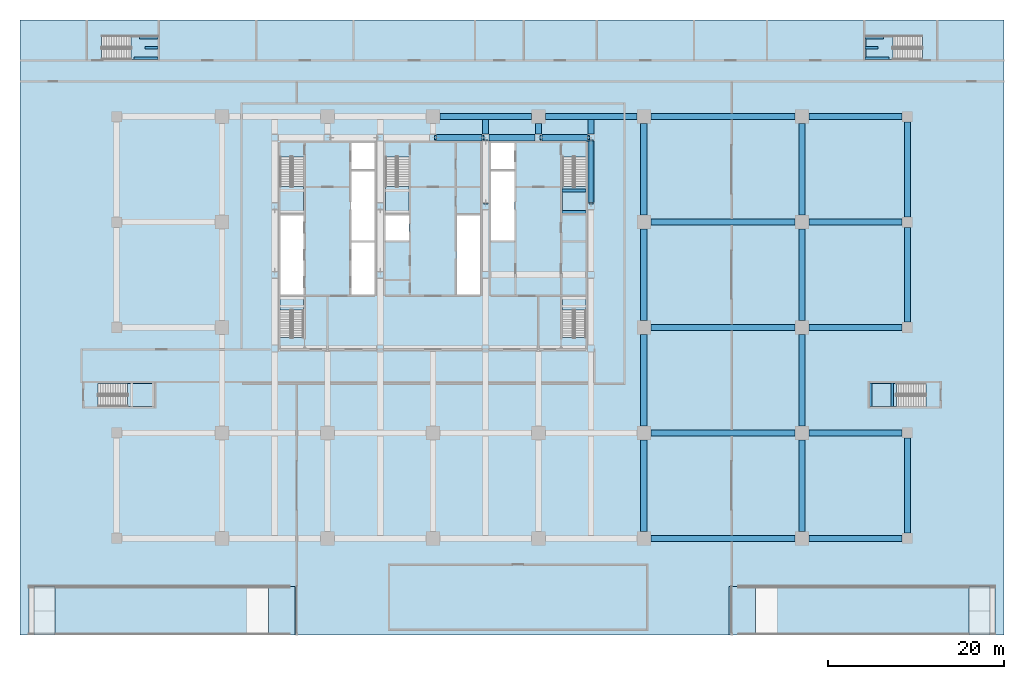
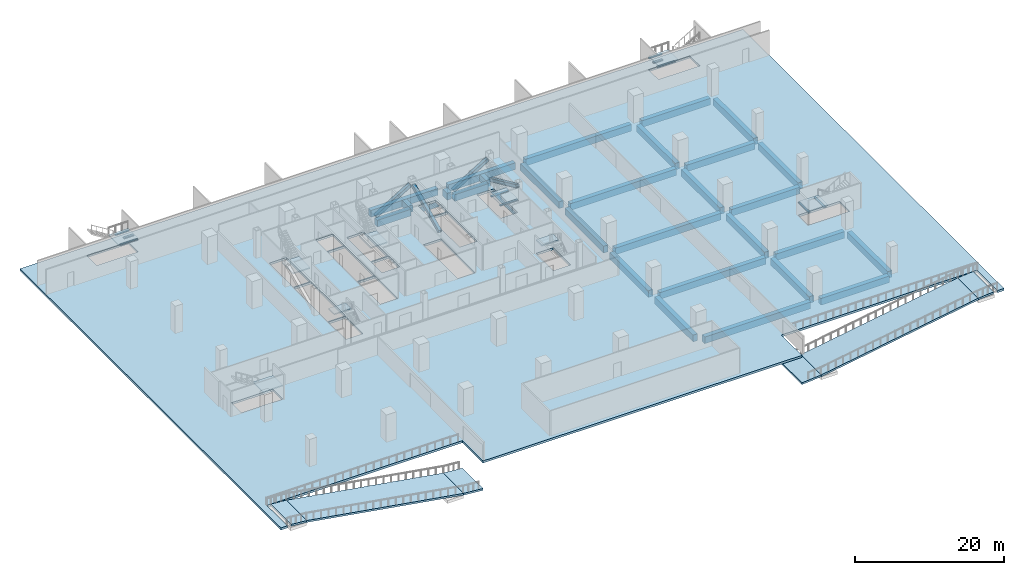
# One storey, part 2 of 15: 40 beams, 16 slabs, 4 members, 11 elements without a shape of their own.
"""IFC4 building model written with IfcOpenShell, lengths in metres."""

from ifc_helpers import new_model, si_unit, direction, frame, origin, origin_2d, place, context, subcontext, project, spatial, polyline, rectangle, hollow_rectangle, outline, extrude, material, layer, layer_set, material_profile, profile_set, type_object, element, aggregate, save


model = new_model("IFC4")

# Units and contexts
model_context = context("Model", 3, precision=1e-05, world=origin(), true_north=direction((0.0, 1.0)))
body_context = subcontext(model_context, "Body", "Model", "MODEL_VIEW")
ifc_project = project(units=[si_unit("LENGTHUNIT", "METRE"), si_unit("AREAUNIT", "SQUARE_METRE"), si_unit("VOLUMEUNIT", "CUBIC_METRE"), si_unit("PLANEANGLEUNIT", "RADIAN"), si_unit("MASSUNIT", "GRAM", prefix="KILO")], contexts=[model_context])

# Site, building, storey
site_placement = place(None, origin())
site = spatial("IfcSite", under=ifc_project, at=site_placement, CompositionType="ELEMENT")
building_placement = place(site_placement, origin())
building = spatial("IfcBuilding", under=site, at=building_placement, Name="Sorahane Residences", CompositionType="ELEMENT")
storey_placement = place(building_placement, frame((0.0, 0.0, -9.0)))
storey = spatial("IfcBuildingStorey", under=building, at=storey_placement, Name="B2", CompositionType="ELEMENT", Elevation=-9.0)

# Members
ifc_material_1 = material(Name="Steel Q355B", Category="steel")
ifc_material_profile_1 = material_profile(ifc_material_1, hollow_rectangle(XDim=0.5, YDim=0.5, WallThickness=0.02490234375, InnerFilletRadius=0.012451171875, OuterFilletRadius=0.03759765625, at=origin_2d()), Name="RHS 500x500x25")
ifc_profile_set_1 = profile_set([ifc_material_profile_1], Name="Steel Q355B")
member_type = type_object("IfcMemberType", Name="Core brace RHS 500x500x25 Q355B", PredefinedType="BRACE", material=ifc_profile_set_1)
for number, where, z_axis, x_axis, name in (
    (1, (24.321533203125, 45.60009765625, 0.201904296875), (0.852399074137, 0.0, 0.522891784608), (0.0, 1.0, 0.0), "Core brace B2 y45.6-4"),
    (2, (36.321533203125, 45.60009765625, 0.201904296875), (0.852399074137, 0.0, 0.522891784608), (0.0, 1.0, 0.0), "Core brace B2 y45.6-6"),
):
    element("IfcMember", number, at=place(storey_placement, frame(where, z_axis=z_axis, x_axis=x_axis)), inside=storey, type_object=member_type, Name=name, PredefinedType="BRACE", context=body_context, shape_type="SweptSolid", body=[
        extrude(hollow_rectangle(XDim=0.5, YDim=0.5, WallThickness=0.02490234375, InnerFilletRadius=0.012451171875, OuterFilletRadius=0.03759765625, at=origin_2d()), origin(), (0.0, 0.0, 1.0), 6.284423828125),
    ])
for number, where, z_axis, x_axis, name in (
    (3, (42.0, 45.26220703125, 0.2216796875), (0.0, -0.909973079674, 0.414667329638), (1.0, 0.0, 0.0), "Core brace B2 x42-3"),
    (4, (30.0, 38.1376953125, 0.2216796875), (0.0, 0.909973079674, 0.414667329638), (-1.0, 0.0, 0.0), "Core brace B2 x30-2"),
):
    element("IfcMember", number, at=place(storey_placement, frame(where, z_axis=z_axis, x_axis=x_axis)), inside=storey, type_object=member_type, Name=name, PredefinedType="BRACE", context=body_context, shape_type="SweptSolid", body=[
        extrude(hollow_rectangle(XDim=0.5, YDim=0.5, WallThickness=0.02490234375, InnerFilletRadius=0.012451171875, OuterFilletRadius=0.03759765625, at=origin_2d()), origin(), (0.0, 0.0, 1.0), 7.829345703125),
    ])

# Beams
ifc_material_2 = material(Name="Concrete C40", Category="concrete")
ifc_material_profile_2 = material_profile(ifc_material_2, rectangle(XDim=0.699951171875, YDim=1.10009765625, at=origin_2d()), Name="700x1100")
ifc_profile_set_2 = profile_set([ifc_material_profile_2], Name="Concrete C40")
beam_type_1 = type_object("IfcBeamType", Name="RC beam 700 x 1100 Concrete C40", PredefinedType="BEAM", material=ifc_profile_set_2)
beam_1_placement = place(storey_placement, frame((48.800048828125, 0.0, -0.89990234375), z_axis=(1.0, 0.0, 0.0), x_axis=(0.0, 1.0, 0.0)))
element("IfcBeam", 5, at=beam_1_placement, inside=storey, type_object=beam_type_1, Name="Beam B2 005", PredefinedType="BEAM", context=body_context, shape_type="SweptSolid", body=[
    extrude(rectangle(XDim=0.699951171875, YDim=1.10009765625, at=origin_2d()), origin(), (0.0, 0.0, 1.0), 16.39990234375),
])
beam_2_placement = place(storey_placement, frame((66.800048828125, 0.0, -0.89990234375), z_axis=(1.0, 0.0, 0.0), x_axis=(0.0, 1.0, 0.0)))
element("IfcBeam", 6, at=beam_2_placement, inside=storey, type_object=beam_type_1, Name="Beam B2 006", PredefinedType="BEAM", context=body_context, shape_type="SweptSolid", body=[
    extrude(rectangle(XDim=0.699951171875, YDim=1.10009765625, at=origin_2d()), origin(), (0.0, 0.0, 1.0), 10.599853515625),
])
beam_3_placement = place(storey_placement, frame((48.800048828125, 12.0, -0.89990234375), z_axis=(1.0, 0.0, 0.0), x_axis=(0.0, 1.0, 0.0)))
element("IfcBeam", 7, at=beam_3_placement, inside=storey, type_object=beam_type_1, Name="Beam B2 012", PredefinedType="BEAM", context=body_context, shape_type="SweptSolid", body=[
    extrude(rectangle(XDim=0.699951171875, YDim=1.10009765625, at=origin_2d()), origin(), (0.0, 0.0, 1.0), 16.39990234375),
])
beam_4_placement = place(storey_placement, frame((66.800048828125, 12.0, -0.89990234375), z_axis=(1.0, 0.0, 0.0), x_axis=(0.0, 1.0, 0.0)))
element("IfcBeam", 8, at=beam_4_placement, inside=storey, type_object=beam_type_1, Name="Beam B2 013", PredefinedType="BEAM", context=body_context, shape_type="SweptSolid", body=[
    extrude(rectangle(XDim=0.699951171875, YDim=1.10009765625, at=origin_2d()), origin(), (0.0, 0.0, 1.0), 10.599853515625),
])
beam_5_placement = place(storey_placement, frame((48.800048828125, 24.0, -0.89990234375), z_axis=(1.0, 0.0, 0.0), x_axis=(0.0, 1.0, 0.0)))
element("IfcBeam", 9, at=beam_5_placement, inside=storey, type_object=beam_type_1, Name="Beam B2 015", PredefinedType="BEAM", context=body_context, shape_type="SweptSolid", body=[
    extrude(rectangle(XDim=0.699951171875, YDim=1.10009765625, at=origin_2d()), origin(), (0.0, 0.0, 1.0), 16.39990234375),
])
beam_6_placement = place(storey_placement, frame((66.800048828125, 24.0, -0.89990234375), z_axis=(1.0, 0.0, 0.0), x_axis=(0.0, 1.0, 0.0)))
element("IfcBeam", 10, at=beam_6_placement, inside=storey, type_object=beam_type_1, Name="Beam B2 016", PredefinedType="BEAM", context=body_context, shape_type="SweptSolid", body=[
    extrude(rectangle(XDim=0.699951171875, YDim=1.10009765625, at=origin_2d()), origin(), (0.0, 0.0, 1.0), 10.599853515625),
])
beam_7_placement = place(storey_placement, frame((48.800048828125, 36.0, -0.89990234375), z_axis=(1.0, 0.0, 0.0), x_axis=(0.0, 1.0, 0.0)))
element("IfcBeam", 11, at=beam_7_placement, inside=storey, type_object=beam_type_1, Name="Beam B2 018", PredefinedType="BEAM", context=body_context, shape_type="SweptSolid", body=[
    extrude(rectangle(XDim=0.699951171875, YDim=1.10009765625, at=origin_2d()), origin(), (0.0, 0.0, 1.0), 16.39990234375),
])
beam_8_placement = place(storey_placement, frame((66.800048828125, 36.0, -0.89990234375), z_axis=(1.0, 0.0, 0.0), x_axis=(0.0, 1.0, 0.0)))
element("IfcBeam", 12, at=beam_8_placement, inside=storey, type_object=beam_type_1, Name="Beam B2 019", PredefinedType="BEAM", context=body_context, shape_type="SweptSolid", body=[
    extrude(rectangle(XDim=0.699951171875, YDim=1.10009765625, at=origin_2d()), origin(), (0.0, 0.0, 1.0), 10.599853515625),
])
for number, where, z_axis, x_axis, name in (
    (13, (24.800048828125, 48.0, -0.89990234375), (1.0, 0.0, 0.0), (0.0, 1.0, 0.0), "Beam B2 023"),
    (14, (36.800048828125, 48.0, -0.89990234375), (1.0, 0.0, 0.0), (0.0, 1.0, 0.0), "Beam B2 024"),
):
    element("IfcBeam", number, at=place(storey_placement, frame(where, z_axis=z_axis, x_axis=x_axis)), inside=storey, type_object=beam_type_1, Name=name, PredefinedType="BEAM", context=body_context, shape_type="SweptSolid", body=[
        extrude(rectangle(XDim=0.699951171875, YDim=1.10009765625, at=origin_2d()), origin(), (0.0, 0.0, 1.0), 10.39990234375),
    ])
beam_9_placement = place(storey_placement, frame((48.800048828125, 48.0, -0.89990234375), z_axis=(1.0, 0.0, 0.0), x_axis=(0.0, 1.0, 0.0)))
element("IfcBeam", 15, at=beam_9_placement, inside=storey, type_object=beam_type_1, Name="Beam B2 025", PredefinedType="BEAM", context=body_context, shape_type="SweptSolid", body=[
    extrude(rectangle(XDim=0.699951171875, YDim=1.10009765625, at=origin_2d()), origin(), (0.0, 0.0, 1.0), 16.39990234375),
])
beam_10_placement = place(storey_placement, frame((66.800048828125, 48.0, -0.89990234375), z_axis=(1.0, 0.0, 0.0), x_axis=(0.0, 1.0, 0.0)))
element("IfcBeam", 16, at=beam_10_placement, inside=storey, type_object=beam_type_1, Name="Beam B2 026", PredefinedType="BEAM", context=body_context, shape_type="SweptSolid", body=[
    extrude(rectangle(XDim=0.699951171875, YDim=1.10009765625, at=origin_2d()), origin(), (0.0, 0.0, 1.0), 10.599853515625),
])
for number, where, z_axis, x_axis, name in (
    (17, (24.39990234375, 45.60009765625, -0.89990234375), (1.0, 0.0, 0.0), (0.0, 1.0, 0.0), "Beam B2 034"),
    (18, (30.39990234375, 45.60009765625, -0.89990234375), (1.0, 0.0, 0.0), (0.0, 1.0, 0.0), "Beam B2 035"),
    (19, (36.39990234375, 45.60009765625, -0.89990234375), (1.0, 0.0, 0.0), (0.0, 1.0, 0.0), "Beam B2 036"),
):
    element("IfcBeam", number, at=place(storey_placement, frame(where, z_axis=z_axis, x_axis=x_axis)), inside=storey, type_object=beam_type_1, Name=name, PredefinedType="BEAM", context=body_context, shape_type="SweptSolid", body=[
        extrude(rectangle(XDim=0.699951171875, YDim=1.10009765625, at=origin_2d()), origin(), (0.0, 0.0, 1.0), 5.2001953125),
    ])
beam_11_placement = place(storey_placement, frame((36.0, 46.0, -0.89990234375), z_axis=(0.0, 1.0, 0.0), x_axis=(-1.0, 0.0, 0.0)))
element("IfcBeam", 20, at=beam_11_placement, inside=storey, type_object=beam_type_1, Name="Beam B2 052", PredefinedType="BEAM", context=body_context, shape_type="SweptSolid", body=[
    extrude(rectangle(XDim=0.699951171875, YDim=1.10009765625, at=origin_2d()), origin(), (0.0, 0.0, 1.0), 1.199951171875),
])
for number, where, z_axis, x_axis, name in (
    (21, (48.0, 0.800048828125, -0.89990234375), (0.0, 1.0, 0.0), (-1.0, 0.0, 0.0), "Beam B2 053"),
    (22, (48.0, 12.800048828125, -0.89990234375), (0.0, 1.0, 0.0), (-1.0, 0.0, 0.0), "Beam B2 054"),
    (23, (48.0, 24.800048828125, -0.89990234375), (0.0, 1.0, 0.0), (-1.0, 0.0, 0.0), "Beam B2 055"),
    (24, (48.0, 36.800048828125, -0.89990234375), (0.0, 1.0, 0.0), (-1.0, 0.0, 0.0), "Beam B2 056"),
    (25, (66.0, 0.800048828125, -0.89990234375), (0.0, 1.0, 0.0), (-1.0, 0.0, 0.0), "Beam B2 057"),
    (26, (66.0, 12.800048828125, -0.89990234375), (0.0, 1.0, 0.0), (-1.0, 0.0, 0.0), "Beam B2 058"),
    (27, (66.0, 24.800048828125, -0.89990234375), (0.0, 1.0, 0.0), (-1.0, 0.0, 0.0), "Beam B2 059"),
    (28, (66.0, 36.800048828125, -0.89990234375), (0.0, 1.0, 0.0), (-1.0, 0.0, 0.0), "Beam B2 060"),
):
    element("IfcBeam", number, at=place(storey_placement, frame(where, z_axis=z_axis, x_axis=x_axis)), inside=storey, type_object=beam_type_1, Name=name, PredefinedType="BEAM", context=body_context, shape_type="SweptSolid", body=[
        extrude(rectangle(XDim=0.699951171875, YDim=1.10009765625, at=origin_2d()), origin(), (0.0, 0.0, 1.0), 10.39990234375),
    ])
for number, where, z_axis, x_axis, name in (
    (29, (78.0, 0.60009765625, -0.89990234375), (0.0, 1.0, 0.0), (-1.0, 0.0, 0.0), "Beam B2 061"),
    (30, (78.0, 24.60009765625, -0.89990234375), (0.0, 1.0, 0.0), (-1.0, 0.0, 0.0), "Beam B2 062"),
    (31, (78.0, 36.60009765625, -0.89990234375), (0.0, 1.0, 0.0), (-1.0, 0.0, 0.0), "Beam B2 063"),
):
    element("IfcBeam", number, at=place(storey_placement, frame(where, z_axis=z_axis, x_axis=x_axis)), inside=storey, type_object=beam_type_1, Name=name, PredefinedType="BEAM", context=body_context, shape_type="SweptSolid", body=[
        extrude(rectangle(XDim=0.699951171875, YDim=1.10009765625, at=origin_2d()), origin(), (0.0, 0.0, 1.0), 10.7998046875),
    ])
beam_12_placement = place(storey_placement, frame((30.0, 46.0, -0.89990234375), z_axis=(0.0, 1.0, 0.0), x_axis=(-1.0, 0.0, 0.0)))
element("IfcBeam", 32, at=beam_12_placement, inside=storey, type_object=beam_type_1, Name="Beam B2 081", PredefinedType="BEAM", context=body_context, shape_type="SweptSolid", body=[
    extrude(rectangle(XDim=0.699951171875, YDim=1.10009765625, at=origin_2d()), origin(), (0.0, 0.0, 1.0), 1.64990234375),
])
beam_13_placement = place(storey_placement, frame((42.0, 38.199951171875, -0.89990234375), z_axis=(0.0, 1.0, 0.0), x_axis=(-1.0, 0.0, 0.0)))
element("IfcBeam", 33, at=beam_13_placement, inside=storey, type_object=beam_type_1, Name="Beam B2 086", PredefinedType="BEAM", context=body_context, shape_type="SweptSolid", body=[
    extrude(rectangle(XDim=0.699951171875, YDim=1.10009765625, at=origin_2d()), origin(), (0.0, 0.0, 1.0), 7.0),
])
beam_14_placement = place(storey_placement, frame((42.0, 46.0, -0.89990234375), z_axis=(0.0, 1.0, 0.0), x_axis=(-1.0, 0.0, 0.0)))
element("IfcBeam", 34, at=beam_14_placement, inside=storey, type_object=beam_type_1, Name="Beam B2 087", PredefinedType="BEAM", context=body_context, shape_type="SweptSolid", body=[
    extrude(rectangle(XDim=0.699951171875, YDim=1.10009765625, at=origin_2d()), origin(), (0.0, 0.0, 1.0), 1.64990234375),
])
ifc_material_3 = material(Name="Concrete C40", Category="concrete")
ifc_material_profile_3 = material_profile(ifc_material_3, rectangle(XDim=0.300048828125, YDim=0.139892578125, at=origin_2d()), Name="300x140")
ifc_profile_set_3 = profile_set([ifc_material_profile_3], Name="Concrete C40")
beam_type_2 = type_object("IfcBeamType", Name="RC landing beam 300 x 140 Concrete C40", PredefinedType="BEAM", material=ifc_profile_set_3)
beam_15_placement = place(storey_placement, frame((-7.300048828125, 54.64990234375, 1.97998046875), z_axis=(-1.0, 0.0, 0.0), x_axis=(0.0, -1.0, 0.0)))
element("IfcBeam", 35, at=beam_15_placement, inside=storey, type_object=beam_type_2, Name="Landing beam", PredefinedType="BEAM", context=body_context, shape_type="SweptSolid", body=[
    extrude(rectangle(XDim=0.300048828125, YDim=0.139892578125, at=origin_2d()), origin(), (0.0, 0.0, 1.0), 2.699951171875),
])
beam_16_placement = place(storey_placement, frame((-7.300048828125, 57.0, 1.97998046875), z_axis=(-1.0, 0.0, 0.0), x_axis=(0.0, -1.0, 0.0)))
element("IfcBeam", 36, at=beam_16_placement, inside=storey, type_object=beam_type_2, Name="Landing beam", PredefinedType="BEAM", context=body_context, shape_type="SweptSolid", body=[
    extrude(rectangle(XDim=0.300048828125, YDim=0.139892578125, at=origin_2d()), origin(), (0.0, 0.0, 1.0), 2.10595703125),
])
beam_17_placement = place(storey_placement, frame((-7.300048828125, 55.824951171875, 1.97998046875), z_axis=(-1.0, 0.0, 0.0), x_axis=(0.0, -1.0, 0.0)))
element("IfcBeam", 37, at=beam_17_placement, inside=storey, type_object=beam_type_2, Name="Landing beam", PredefinedType="BEAM", context=body_context, shape_type="SweptSolid", body=[
    extrude(rectangle(XDim=0.300048828125, YDim=0.139892578125, at=origin_2d()), origin(), (0.0, 0.0, 1.0), 1.48486328125),
])
beam_18_placement = place(storey_placement, frame((73.199951171875, 54.64990234375, 1.97998046875), z_axis=(1.0, 0.0, 0.0), x_axis=(0.0, 1.0, 0.0)))
element("IfcBeam", 38, at=beam_18_placement, inside=storey, type_object=beam_type_2, Name="Landing beam", PredefinedType="BEAM", context=body_context, shape_type="SweptSolid", body=[
    extrude(rectangle(XDim=0.300048828125, YDim=0.139892578125, at=origin_2d()), origin(), (0.0, 0.0, 1.0), 2.699951171875),
])
beam_19_placement = place(storey_placement, frame((73.199951171875, 57.0, 1.97998046875), z_axis=(1.0, 0.0, 0.0), x_axis=(0.0, 1.0, 0.0)))
element("IfcBeam", 39, at=beam_19_placement, inside=storey, type_object=beam_type_2, Name="Landing beam", PredefinedType="BEAM", context=body_context, shape_type="SweptSolid", body=[
    extrude(rectangle(XDim=0.300048828125, YDim=0.139892578125, at=origin_2d()), origin(), (0.0, 0.0, 1.0), 2.10595703125),
])
beam_20_placement = place(storey_placement, frame((73.199951171875, 55.824951171875, 1.97998046875), z_axis=(1.0, 0.0, 0.0), x_axis=(0.0, 1.0, 0.0)))
element("IfcBeam", 40, at=beam_20_placement, inside=storey, type_object=beam_type_2, Name="Landing beam", PredefinedType="BEAM", context=body_context, shape_type="SweptSolid", body=[
    extrude(rectangle(XDim=0.300048828125, YDim=0.139892578125, at=origin_2d()), origin(), (0.0, 0.0, 1.0), 1.485107421875),
])
for number, where, z_axis, x_axis, name in (
    (41, (73.85009765625, 15.0, 1.97998046875), (0.0, 1.0, 0.0), (-1.0, 0.0, 0.0), "Landing beam"),
    (42, (76.2900390625, 15.0, 1.97998046875), (0.0, 1.0, 0.0), (-1.0, 0.0, 0.0), "Landing beam"),
    (43, (38.699951171875, 37.14990234375, 1.97998046875), (1.0, 0.0, 0.0), (0.0, 1.0, 0.0), "Landing beam"),
    (44, (38.699951171875, 39.590087890625, 1.97998046875), (1.0, 0.0, 0.0), (0.0, 1.0, 0.0), "Landing beam"),
):
    element("IfcBeam", number, at=place(storey_placement, frame(where, z_axis=z_axis, x_axis=x_axis)), inside=storey, type_object=beam_type_2, Name=name, PredefinedType="BEAM", context=body_context, shape_type="SweptSolid", body=[
        extrude(rectangle(XDim=0.300048828125, YDim=0.139892578125, at=origin_2d()), origin(), (0.0, 0.0, 1.0), 2.699951171875),
    ])

# Slab
ifc_material_4 = material(Name="Concrete C40", Category="concrete")
ifc_layer_1 = layer(ifc_material_4, 0.35009765625)
ifc_layer_set_1 = layer_set([ifc_layer_1], Name="Reinforced concrete floor slab 350 mm Concrete C40")
slab_type_1 = type_object("IfcSlabType", Name="Reinforced concrete floor slab 350 mm Concrete C40", PredefinedType="FLOOR", material=ifc_layer_set_1)
slab_1_placement = place(storey_placement, frame((0.0, 0.0, -0.35009765625)))
element("IfcSlab", 45, at=slab_1_placement, inside=storey, type_object=slab_type_1, Name="Slab B2", PredefinedType="FLOOR", context=body_context, shape_type="SweptSolid", body=[
    extrude(outline(polyline([(-23.0, -11.0), (-23.0, 59.0), (89.0, 59.0), (89.0, -11.0), (88.0, -11.0), (88.0, -5.5), (57.699951171875, -5.5), (57.699951171875, -11.0), (8.300048828125, -11.0), (8.300048828125, -5.5), (-22.0, -5.5), (-22.0, -11.0), (-23.0, -11.0)]), holes=[polyline([(30.60009765625, 42.0), (33.300048828125, 42.0), (33.300048828125, 45.0), (30.60009765625, 45.0), (30.60009765625, 42.0)]), polyline([(14.699951171875, 27.699951171875), (17.39990234375, 27.699951171875), (17.39990234375, 33.699951171875), (14.699951171875, 33.699951171875), (14.699951171875, 27.699951171875)]), polyline([(14.699951171875, 42.0), (17.39990234375, 42.0), (17.39990234375, 45.0), (14.699951171875, 45.0), (14.699951171875, 42.0)]), polyline([(6.60009765625, 27.699951171875), (9.300048828125, 27.699951171875), (9.300048828125, 36.800048828125), (6.60009765625, 36.800048828125), (6.60009765625, 27.699951171875)]), polyline([(6.60009765625, 43.39990234375), (6.60009765625, 37.0), (9.25, 37.0), (9.25, 43.39990234375), (6.60009765625, 43.39990234375)]), polyline([(38.75, 43.39990234375), (38.75, 37.0), (41.39990234375, 37.0), (41.39990234375, 43.39990234375), (38.75, 43.39990234375)]), polyline([(18.60009765625, 43.39990234375), (18.60009765625, 37.0), (21.25, 37.0), (21.25, 43.39990234375), (18.60009765625, 43.39990234375)]), polyline([(9.25, 22.85009765625), (9.25, 27.5), (6.60009765625, 27.5), (6.60009765625, 22.85009765625), (9.25, 22.85009765625)]), polyline([(41.39990234375, 22.85009765625), (41.39990234375, 27.5), (38.75, 27.5), (38.75, 22.85009765625), (41.39990234375, 22.85009765625)]), polyline([(14.699951171875, 33.89990234375), (17.39990234375, 33.89990234375), (17.39990234375, 41.800048828125), (14.699951171875, 41.800048828125), (14.699951171875, 33.89990234375)]), polyline([(30.60009765625, 33.89990234375), (33.300048828125, 33.89990234375), (33.300048828125, 41.800048828125), (30.60009765625, 41.800048828125), (30.60009765625, 33.89990234375)]), polyline([(18.60009765625, 33.89990234375), (21.300048828125, 33.89990234375), (21.300048828125, 36.800048828125), (18.60009765625, 36.800048828125), (18.60009765625, 33.89990234375)]), polyline([(26.699951171875, 27.699951171875), (29.39990234375, 27.699951171875), (29.39990234375, 36.800048828125), (26.699951171875, 36.800048828125), (26.699951171875, 27.699951171875)]), polyline([(-13.699951171875, 54.5), (-7.300048828125, 54.5), (-7.300048828125, 57.14990234375), (-13.699951171875, 57.14990234375), (-13.699951171875, 54.5)]), polyline([(79.699951171875, 57.14990234375), (73.300048828125, 57.14990234375), (73.300048828125, 54.5), (79.699951171875, 54.5), (79.699951171875, 57.14990234375)]), polyline([(-14.10009765625, 15.0), (-7.699951171875, 15.0), (-7.699951171875, 17.64990234375), (-14.10009765625, 17.64990234375), (-14.10009765625, 15.0)]), polyline([(80.10009765625, 17.64990234375), (73.699951171875, 17.64990234375), (73.699951171875, 15.0), (80.10009765625, 15.0), (80.10009765625, 17.64990234375)])]), origin(), (0.0, 0.0, 1.0), 0.35009765625),
])

# Stair, slab
ifc_material_5 = material(Name="Concrete C40", Category="concrete")
stair_type = type_object("IfcStairType", Name="Dog-leg stair 1250 Concrete C40", PredefinedType="HALF_TURN_STAIR", material=ifc_material_5)
stair_1_placement = place(storey_placement, origin())
stair_1 = element("IfcStair", 46, at=stair_1_placement, inside=storey, type_object=stair_type, Name="B2 Stair S1", PredefinedType="HALF_TURN_STAIR")
ifc_material_6 = material(Name="Concrete C40", Category="concrete")
ifc_layer_2 = layer(ifc_material_6, 0.199951171875)
ifc_layer_set_2 = layer_set([ifc_layer_2], Name="Stair landing 200 Concrete C40")
slab_type_2 = type_object("IfcSlabType", Name="Stair landing 200 Concrete C40", PredefinedType="LANDING", material=ifc_layer_set_2)
slab_2_placement = place(storey_placement, frame((0.0, 0.0, 2.050048828125)))
slab_2 = element("IfcSlab", 47, at=slab_2_placement, type_object=slab_type_2, Name="S1 landing 1", PredefinedType="LANDING", context=body_context, shape_type="SweptSolid", body=[
    extrude(outline(polyline([(6.60009765625, 40.0400390625), (6.60009765625, 37.0), (9.25, 37.0), (9.25, 40.0400390625), (6.60009765625, 40.0400390625)])), origin(), (0.0, 0.0, 1.0), 0.199951171875),
])
aggregate(stair_1, [slab_2])

stair_2_placement = place(storey_placement, origin())
stair_2 = element("IfcStair", 48, at=stair_2_placement, inside=storey, type_object=stair_type, Name="B2 Stair S2", PredefinedType="HALF_TURN_STAIR")
slab_3_placement = place(storey_placement, frame((0.0, 0.0, 2.050048828125)))
slab_3 = element("IfcSlab", 49, at=slab_3_placement, type_object=slab_type_2, Name="S2 landing 1", PredefinedType="LANDING", context=body_context, shape_type="SweptSolid", body=[
    extrude(outline(polyline([(38.75, 40.0400390625), (38.75, 37.0), (41.39990234375, 37.0), (41.39990234375, 40.0400390625), (38.75, 40.0400390625)])), origin(), (0.0, 0.0, 1.0), 0.199951171875),
])
aggregate(stair_2, [slab_3])

stair_3_placement = place(storey_placement, origin())
stair_3 = element("IfcStair", 50, at=stair_3_placement, inside=storey, type_object=stair_type, Name="B2 Stair S3", PredefinedType="HALF_TURN_STAIR")
slab_4_placement = place(storey_placement, frame((0.0, 0.0, 2.050048828125)))
slab_4 = element("IfcSlab", 51, at=slab_4_placement, type_object=slab_type_2, Name="S3 landing 1", PredefinedType="LANDING", context=body_context, shape_type="SweptSolid", body=[
    extrude(outline(polyline([(18.60009765625, 40.0400390625), (18.60009765625, 37.0), (21.25, 37.0), (21.25, 40.0400390625), (18.60009765625, 40.0400390625)])), origin(), (0.0, 0.0, 1.0), 0.199951171875),
])
aggregate(stair_3, [slab_4])

stair_4_placement = place(storey_placement, origin())
stair_4 = element("IfcStair", 52, at=stair_4_placement, inside=storey, type_object=stair_type, Name="B2 Stair S4", PredefinedType="HALF_TURN_STAIR")
slab_5_placement = place(storey_placement, frame((0.0, 0.0, 2.050048828125)))
slab_5 = element("IfcSlab", 53, at=slab_5_placement, type_object=slab_type_2, Name="S4 landing 1", PredefinedType="LANDING", context=body_context, shape_type="SweptSolid", body=[
    extrude(outline(polyline([(9.25, 25.969970703125), (9.25, 27.5), (6.60009765625, 27.5), (6.60009765625, 25.969970703125), (9.25, 25.969970703125)])), origin(), (0.0, 0.0, 1.0), 0.199951171875),
])
aggregate(stair_4, [slab_5])

stair_5_placement = place(storey_placement, origin())
stair_5 = element("IfcStair", 54, at=stair_5_placement, inside=storey, type_object=stair_type, Name="B2 Stair S5", PredefinedType="HALF_TURN_STAIR")
slab_6_placement = place(storey_placement, frame((0.0, 0.0, 2.050048828125)))
slab_6 = element("IfcSlab", 55, at=slab_6_placement, type_object=slab_type_2, Name="S5 landing 1", PredefinedType="LANDING", context=body_context, shape_type="SweptSolid", body=[
    extrude(outline(polyline([(41.39990234375, 25.969970703125), (41.39990234375, 27.5), (38.75, 27.5), (38.75, 25.969970703125), (41.39990234375, 25.969970703125)])), origin(), (0.0, 0.0, 1.0), 0.199951171875),
])
aggregate(stair_5, [slab_6])

stair_6_placement = place(storey_placement, origin())
stair_6 = element("IfcStair", 56, at=stair_6_placement, inside=storey, type_object=stair_type, Name="B2 Basement stair BS1", PredefinedType="HALF_TURN_STAIR")
slab_7_placement = place(storey_placement, frame((0.0, 0.0, 2.050048828125)))
slab_7 = element("IfcSlab", 57, at=slab_7_placement, type_object=slab_type_2, Name="BS1 landing 1", PredefinedType="LANDING", context=body_context, shape_type="SweptSolid", body=[
    extrude(outline(polyline([(-10.340087890625, 54.5), (-7.300048828125, 54.5), (-7.300048828125, 57.14990234375), (-10.340087890625, 57.14990234375), (-10.340087890625, 54.5)])), origin(), (0.0, 0.0, 1.0), 0.199951171875),
])
aggregate(stair_6, [slab_7])

stair_7_placement = place(storey_placement, origin())
stair_7 = element("IfcStair", 58, at=stair_7_placement, inside=storey, type_object=stair_type, Name="B2 Basement stair BS2", PredefinedType="HALF_TURN_STAIR")
slab_8_placement = place(storey_placement, frame((0.0, 0.0, 2.050048828125)))
slab_8 = element("IfcSlab", 59, at=slab_8_placement, type_object=slab_type_2, Name="BS2 landing 1", PredefinedType="LANDING", context=body_context, shape_type="SweptSolid", body=[
    extrude(outline(polyline([(76.340087890625, 57.14990234375), (73.300048828125, 57.14990234375), (73.300048828125, 54.5), (76.340087890625, 54.5), (76.340087890625, 57.14990234375)])), origin(), (0.0, 0.0, 1.0), 0.199951171875),
])
aggregate(stair_7, [slab_8])

stair_8_placement = place(storey_placement, origin())
stair_8 = element("IfcStair", 60, at=stair_8_placement, inside=storey, type_object=stair_type, Name="B2 Basement stair BS3", PredefinedType="HALF_TURN_STAIR")
slab_9_placement = place(storey_placement, frame((0.0, 0.0, 2.050048828125)))
slab_9 = element("IfcSlab", 61, at=slab_9_placement, type_object=slab_type_2, Name="BS3 landing 1", PredefinedType="LANDING", context=body_context, shape_type="SweptSolid", body=[
    extrude(outline(polyline([(-10.739990234375, 15.0), (-7.699951171875, 15.0), (-7.699951171875, 17.64990234375), (-10.739990234375, 17.64990234375), (-10.739990234375, 15.0)])), origin(), (0.0, 0.0, 1.0), 0.199951171875),
])
aggregate(stair_8, [slab_9])

stair_9_placement = place(storey_placement, origin())
stair_9 = element("IfcStair", 62, at=stair_9_placement, inside=storey, type_object=stair_type, Name="B2 Basement stair BS4", PredefinedType="HALF_TURN_STAIR")
slab_10_placement = place(storey_placement, frame((0.0, 0.0, 2.050048828125)))
slab_10 = element("IfcSlab", 63, at=slab_10_placement, type_object=slab_type_2, Name="BS4 landing 1", PredefinedType="LANDING", context=body_context, shape_type="SweptSolid", body=[
    extrude(outline(polyline([(76.739990234375, 17.64990234375), (73.699951171875, 17.64990234375), (73.699951171875, 15.0), (76.739990234375, 15.0), (76.739990234375, 17.64990234375)])), origin(), (0.0, 0.0, 1.0), 0.199951171875),
])
aggregate(stair_9, [slab_10])

# Ramp, slabs
ifc_material_7 = material(Name="Concrete C40", Category="concrete")
ifc_layer_3 = layer(ifc_material_7, 0.300048828125)
ifc_layer_set_3 = layer_set([ifc_layer_3], Name="Vehicle ramp 300 Concrete C40")
ramp_type = type_object("IfcRampType", Name="Vehicle ramp 300 Concrete C40", PredefinedType="STRAIGHT_RUN_RAMP", material=ifc_layer_set_3)
ramp_1_placement = place(storey_placement, origin())
ramp_1 = element("IfcRamp", 64, at=ramp_1_placement, inside=storey, type_object=ramp_type, Name="Vehicle ramp W B2 to B3", PredefinedType="STRAIGHT_RUN_RAMP")
ifc_material_8 = material(Name="Concrete C40", Category="concrete")
ifc_layer_4 = layer(ifc_material_8, 0.300048828125)
ifc_layer_set_4 = layer_set([ifc_layer_4], Name="Vehicle ramp slab 300 Concrete C40")
slab_type_3 = type_object("IfcSlabType", Name="Vehicle ramp slab 300 Concrete C40", PredefinedType="USERDEFINED", material=ifc_layer_set_4)
slab_11_placement = place(storey_placement, frame((-21.39990234375, -11.0, 0.0), z_axis=(0.083028700011, 0.0, 0.996547156423), x_axis=(0.996547156423, 0.0, -0.083028700011)))
slab_11 = element("IfcSlab", 65, at=slab_11_placement, type_object=slab_type_3, Name="Ramp slab W B2 1", ObjectType="RAMP", PredefinedType="USERDEFINED", context=body_context, shape_type="SweptSolid", body=[
    extrude(outline(polyline([(0.0, 0.0), (2.408217542223071, 0.0), (2.408217542223071, 5.5), (0.0, 5.5), (0.0, 0.0)])), origin(), (0.0, 0.0, -1.0), 0.300048828125),
])
slab_12_placement = place(storey_placement, frame((-19.0, -11.0, -0.199951171875), z_axis=(0.164400594367, 0.0, 0.986393655987), x_axis=(0.986393655987, 0.0, -0.164400594367)))
slab_12 = element("IfcSlab", 66, at=slab_12_placement, type_object=slab_type_3, Name="Ramp slab W B2 2", ObjectType="RAMP", PredefinedType="USERDEFINED", context=body_context, shape_type="SweptSolid", body=[
    extrude(outline(polyline([(0.0, 0.0), (24.6352444388006, 0.0), (24.6352444388006, 5.499999999999999), (0.0, 5.499999999999999), (0.0, 0.0)])), origin(), (0.0, 0.0, -1.0), 0.300048828125),
])
slab_13_placement = place(storey_placement, frame((5.300048828125, -11.0, -4.25), z_axis=(0.083045479854, 0.0, 0.996545758245), x_axis=(0.996545758245, 0.0, -0.083045479854)))
slab_13 = element("IfcSlab", 67, at=slab_13_placement, type_object=slab_type_3, Name="Ramp slab W B2 3", ObjectType="RAMP", PredefinedType="USERDEFINED", context=body_context, shape_type="SweptSolid", body=[
    extrude(outline(polyline([(0.0, 0.0), (3.010398644698074, 0.0), (3.010398644698074, 5.5), (0.0, 5.5), (0.0, 0.0)])), origin(), (0.0, 0.0, -1.0), 0.300048828125),
])
aggregate(ramp_1, [slab_11, slab_12, slab_13])

ramp_2_placement = place(storey_placement, origin())
ramp_2 = element("IfcRamp", 68, at=ramp_2_placement, inside=storey, type_object=ramp_type, Name="Vehicle ramp E B2 to B3", PredefinedType="STRAIGHT_RUN_RAMP")
slab_14_placement = place(storey_placement, frame((87.39990234375, -11.0, 0.0), z_axis=(-0.083028700011, 0.0, 0.996547156423), x_axis=(-0.996547156423, 0.0, -0.083028700011)))
slab_14 = element("IfcSlab", 69, at=slab_14_placement, type_object=slab_type_3, Name="Ramp slab E B2 1", ObjectType="RAMP", PredefinedType="USERDEFINED", context=body_context, shape_type="SweptSolid", body=[
    extrude(outline(polyline([(0.0, 0.0), (2.408217542223071, 0.0), (2.408217542223071, -5.5), (0.0, -5.5), (0.0, 0.0)])), origin(), (0.0, 0.0, -1.0), 0.300048828125),
])
slab_15_placement = place(storey_placement, frame((85.0, -11.0, -0.199951171875), z_axis=(-0.164400594367, 0.0, 0.986393655987), x_axis=(-0.986393655987, 0.0, -0.164400594367)))
slab_15 = element("IfcSlab", 70, at=slab_15_placement, type_object=slab_type_3, Name="Ramp slab E B2 2", ObjectType="RAMP", PredefinedType="USERDEFINED", context=body_context, shape_type="SweptSolid", body=[
    extrude(outline(polyline([(0.0, 0.0), (24.6352444388006, 0.0), (24.6352444388006, -5.499999999999999), (0.0, -5.499999999999999), (0.0, 0.0)])), origin(), (0.0, 0.0, -1.0), 0.300048828125),
])
slab_16_placement = place(storey_placement, frame((60.699951171875, -11.0, -4.25), z_axis=(-0.083045479854, 0.0, 0.996545758245), x_axis=(-0.996545758245, 0.0, -0.083045479854)))
slab_16 = element("IfcSlab", 71, at=slab_16_placement, type_object=slab_type_3, Name="Ramp slab E B2 3", ObjectType="RAMP", PredefinedType="USERDEFINED", context=body_context, shape_type="SweptSolid", body=[
    extrude(outline(polyline([(0.0, 0.0), (3.010398644698074, 0.0), (3.010398644698074, -5.5), (0.0, -5.5), (0.0, 0.0)])), origin(), (0.0, 0.0, -1.0), 0.300048828125),
])
aggregate(ramp_2, [slab_14, slab_15, slab_16])

save(model, "model.ifc")
